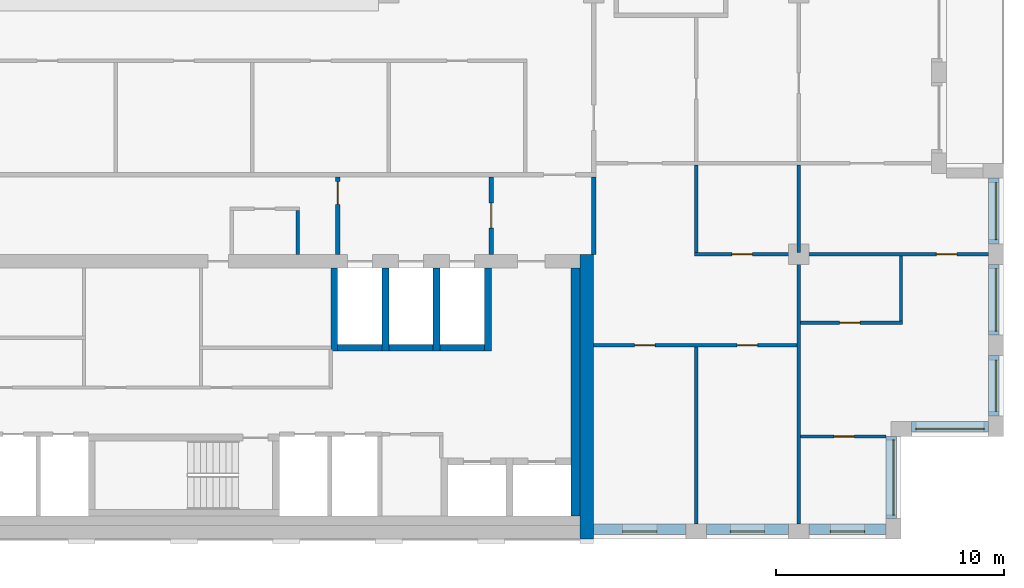
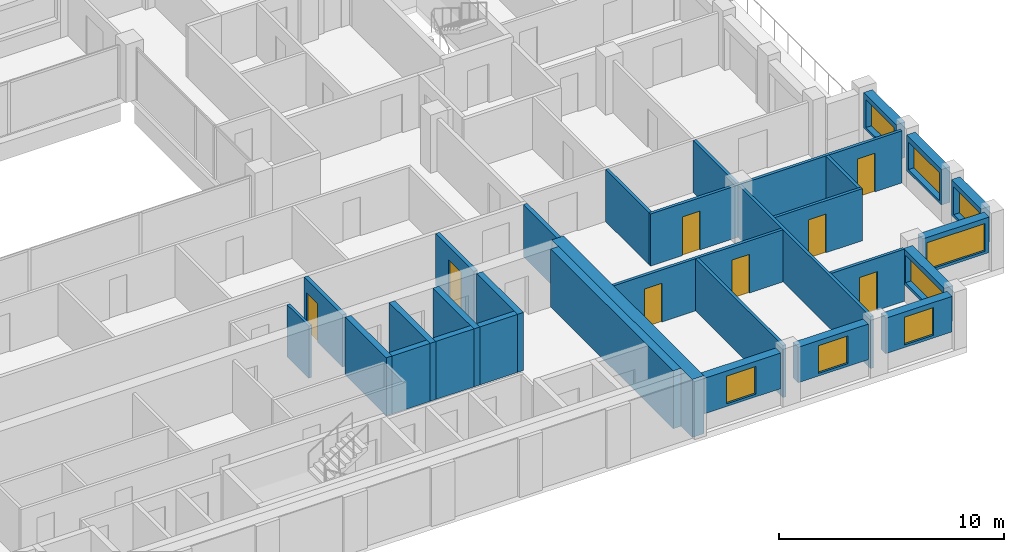
# One storey, part 11 of 16: 30 walls, 8 doors, 8 windows, 16 openings.
"""IFC4 building model written with IfcOpenShell, lengths in metres."""

from ifc_helpers import new_model, si_unit, direction, frame, frame_2d, origin, place, context, subcontext, project, spatial, rectangle, extrude, material, layer, layer_set, type_object, element, fill, save


model = new_model("IFC4")

# Units and contexts
model_context = context("Model", 3, precision=1e-05, world=origin(), true_north=direction((0.0, 1.0)))
body_context = subcontext(model_context, "Body", "Model", "MODEL_VIEW")
ifc_project = project(units=[si_unit("LENGTHUNIT", "METRE"), si_unit("AREAUNIT", "SQUARE_METRE"), si_unit("VOLUMEUNIT", "CUBIC_METRE"), si_unit("PLANEANGLEUNIT", "RADIAN"), si_unit("MASSUNIT", "GRAM", prefix="KILO")], contexts=[model_context])

# Site, building, storey
site_placement = place(None, origin())
site = spatial("IfcSite", under=ifc_project, at=site_placement, CompositionType="ELEMENT")
building_placement = place(site_placement, origin())
building = spatial("IfcBuilding", under=site, at=building_placement, Name="Brigalow Station Residences", CompositionType="ELEMENT")
storey_placement = place(building_placement, frame((0.0, 0.0, 204.300048828125)))
storey = spatial("IfcBuildingStorey", under=building, at=storey_placement, Name="L58", CompositionType="ELEMENT", Elevation=204.300048828125)

# Wall, opening, window
ifc_material_1 = material(Name="Clay brick masonry", Category="masonry")
ifc_layer_1 = layer(ifc_material_1, 0.449951171875)
ifc_layer_set_1 = layer_set([ifc_layer_1], Name="BRICK INFILL WALL 450")
wall_type_1 = type_object("IfcWallType", Name="BRICK INFILL WALL 450", PredefinedType="SOLIDWALL", material=ifc_layer_set_1)
wall_1_placement = place(storey_placement, frame((54.0, 0.425048828125, 0.89990234375), z_axis=(0.0, 0.0, 1.0), x_axis=(1.0, 0.0, 0.0)))
wall_1 = element("IfcWall", 1, at=wall_1_placement, inside=storey, type_object=wall_type_1, Name="L58/ewall/W-L58-3", PredefinedType="SOLIDWALL", context=body_context, shape_type="SweptSolid", body=[
    extrude(rectangle(XDim=4.050048828125, YDim=0.449951171875, at=frame_2d((2.02490234375, 0.0))), origin(), (0.0, 0.0, 1.0), 1.929931640625),
])
opening_1_placement = place(wall_1_placement, frame((1.27490234375, 0.0, 0.14990234375)))
opening_1 = element("IfcOpeningElement", 2, at=opening_1_placement, cuts=wall_1, Name="Opening WT-1", PredefinedType="OPENING", context=body_context, shape_type="SweptSolid", body=[
    extrude(rectangle(XDim=1.5, YDim=1.5, at=frame_2d((0.75, 0.75))), frame((0.0, 0.23486328125, 0.0), z_axis=(0.0, -1.0, 0.0), x_axis=(1.0, 0.0, 0.0)), (0.0, 0.0, 1.0), 0.469970703125),
])
ifc_material_2 = material(Name="Anodised aluminium frame with double glazing", Category="aluminium")
window_type_1 = type_object("IfcWindowType", Name="WINDOW 1500x1500", PartitioningType="SINGLE_PANEL", PredefinedType="WINDOW", material=ifc_material_2)
window_1_placement = place(opening_1_placement, origin())
window_1 = element("IfcWindow", 3, at=window_1_placement, inside=storey, type_object=window_type_1, Name="L58/window/W-L58-3", OverallHeight=1.5, OverallWidth=1.5, PartitioningType="SINGLE_PANEL", PredefinedType="WINDOW", context=body_context, shape_type="SweptSolid", body=[
    extrude(rectangle(XDim=1.5, YDim=1.5, at=frame_2d((0.75, 0.75))), frame((0.0, -0.06494140625, 0.0), z_axis=(0.0, -1.0, 0.0), x_axis=(1.0, 0.0, 0.0)), (0.0, 0.0, 1.0), 0.06005859375),
])
fill(opening_1, window_1)

wall_2_placement = place(storey_placement, frame((58.949951171875, 0.425048828125, 0.89990234375), z_axis=(0.0, 0.0, 1.0), x_axis=(1.0, 0.0, 0.0)))
wall_2 = element("IfcWall", 4, at=wall_2_placement, inside=storey, type_object=wall_type_1, Name="L58/ewall/W-L58-4", PredefinedType="SOLIDWALL", context=body_context, shape_type="SweptSolid", body=[
    extrude(rectangle(XDim=3.60009765625, YDim=0.449951171875, at=frame_2d((1.800048828125, 0.0))), origin(), (0.0, 0.0, 1.0), 1.929931640625),
])
opening_2_placement = place(wall_2_placement, frame((1.050048828125, 0.0, 0.14990234375)))
opening_2 = element("IfcOpeningElement", 5, at=opening_2_placement, cuts=wall_2, Name="Opening WT-1", PredefinedType="OPENING", context=body_context, shape_type="SweptSolid", body=[
    extrude(rectangle(XDim=1.5, YDim=1.5, at=frame_2d((0.75, 0.75))), frame((0.0, 0.23486328125, 0.0), z_axis=(0.0, -1.0, 0.0), x_axis=(1.0, 0.0, 0.0)), (0.0, 0.0, 1.0), 0.469970703125),
])
window_2_placement = place(opening_2_placement, origin())
window_2 = element("IfcWindow", 6, at=window_2_placement, inside=storey, type_object=window_type_1, Name="L58/window/W-L58-4", OverallHeight=1.5, OverallWidth=1.5, PartitioningType="SINGLE_PANEL", PredefinedType="WINDOW", context=body_context, shape_type="SweptSolid", body=[
    extrude(rectangle(XDim=1.5, YDim=1.5, at=frame_2d((0.75, 0.75))), frame((0.0, -0.06494140625, 0.0), z_axis=(0.0, -1.0, 0.0), x_axis=(1.0, 0.0, 0.0)), (0.0, 0.0, 1.0), 0.06005859375),
])
fill(opening_2, window_2)

wall_3_placement = place(storey_placement, frame((63.449951171875, 0.425048828125, 0.89990234375), z_axis=(0.0, 0.0, 1.0), x_axis=(1.0, 0.0, 0.0)))
wall_3 = element("IfcWall", 7, at=wall_3_placement, inside=storey, type_object=wall_type_1, Name="L58/ewall/W-L58-5", PredefinedType="SOLIDWALL", context=body_context, shape_type="SweptSolid", body=[
    extrude(rectangle(XDim=3.400146484375, YDim=0.449951171875, at=frame_2d((1.7001953125, 0.0))), origin(), (0.0, 0.0, 1.0), 1.929931640625),
])
opening_3_placement = place(wall_3_placement, frame((0.949951171875, 0.0, 0.14990234375)))
opening_3 = element("IfcOpeningElement", 8, at=opening_3_placement, cuts=wall_3, Name="Opening WT-1", PredefinedType="OPENING", context=body_context, shape_type="SweptSolid", body=[
    extrude(rectangle(XDim=1.5, YDim=1.5, at=frame_2d((0.75, 0.75))), frame((0.0, 0.23486328125, 0.0), z_axis=(0.0, -1.0, 0.0), x_axis=(1.0, 0.0, 0.0)), (0.0, 0.0, 1.0), 0.469970703125),
])
window_3_placement = place(opening_3_placement, origin())
window_3 = element("IfcWindow", 9, at=window_3_placement, inside=storey, type_object=window_type_1, Name="L58/window/W-L58-5", OverallHeight=1.5, OverallWidth=1.5, PartitioningType="SINGLE_PANEL", PredefinedType="WINDOW", context=body_context, shape_type="SweptSolid", body=[
    extrude(rectangle(XDim=1.5, YDim=1.5, at=frame_2d((0.75, 0.75))), frame((0.0, -0.06494140625, 0.0), z_axis=(0.0, -1.0, 0.0), x_axis=(1.0, 0.0, 0.0)), (0.0, 0.0, 1.0), 0.06005859375),
])
fill(opening_3, window_3)

wall_4_placement = place(storey_placement, frame((67.074951171875, 0.89990234375, 0.89990234375), z_axis=(0.0, 0.0, 1.0), x_axis=(0.0, 1.0, 0.0)))
wall_4 = element("IfcWall", 10, at=wall_4_placement, inside=storey, type_object=wall_type_1, Name="L58/ewall/W-L58-6", PredefinedType="SOLIDWALL", context=body_context, shape_type="SweptSolid", body=[
    extrude(rectangle(XDim=3.60009765625, YDim=0.449951171875, at=frame_2d((1.800048828125, 0.0))), origin(), (0.0, 0.0, 1.0), 1.929931640625),
])
opening_4_placement = place(wall_4_placement, frame((0.14990234375, 0.0, 0.14990234375)))
opening_4 = element("IfcOpeningElement", 11, at=opening_4_placement, cuts=wall_4, Name="Opening WT-10", PredefinedType="OPENING", context=body_context, shape_type="SweptSolid", body=[
    extrude(rectangle(XDim=3.300048828125, YDim=1.5, at=frame_2d((1.64990234375, 0.75))), frame((0.0, 0.23486328125, 0.0), z_axis=(0.0, -1.0, 0.0), x_axis=(1.0, 0.0, 0.0)), (0.0, 0.0, 1.0), 0.469970703125),
])
ifc_material_3 = material(Name="Anodised aluminium frame with double glazing", Category="aluminium")
window_type_2 = type_object("IfcWindowType", Name="WINDOW 3300x1500", PartitioningType="SINGLE_PANEL", PredefinedType="WINDOW", material=ifc_material_3)
window_4_placement = place(opening_4_placement, origin())
window_4 = element("IfcWindow", 12, at=window_4_placement, inside=storey, type_object=window_type_2, Name="L58/window/W-L58-6", OverallHeight=1.5, OverallWidth=3.300048828125, PartitioningType="SINGLE_PANEL", PredefinedType="WINDOW", context=body_context, shape_type="SweptSolid", body=[
    extrude(rectangle(XDim=3.300048828125, YDim=1.5, at=frame_2d((1.64990234375, 0.75))), frame((0.0, -0.06494140625, 0.0), z_axis=(0.0, -1.0, 0.0), x_axis=(1.0, 0.0, 0.0)), (0.0, 0.0, 1.0), 0.06005859375),
])
fill(opening_4, window_4)

wall_5_placement = place(storey_placement, frame((67.949951171875, 4.925048828125, 0.89990234375), z_axis=(0.0, 0.0, 1.0), x_axis=(1.0, 0.0, 0.0)))
wall_5 = element("IfcWall", 13, at=wall_5_placement, inside=storey, type_object=wall_type_1, Name="L58/ewall/W-L58-7", PredefinedType="SOLIDWALL", context=body_context, shape_type="SweptSolid", body=[
    extrude(rectangle(XDim=3.400146484375, YDim=0.449951171875, at=frame_2d((1.7001953125, 0.0))), origin(), (0.0, 0.0, 1.0), 1.929931640625),
])
opening_5_placement = place(wall_5_placement, frame((0.199951171875, 0.0, 0.14990234375)))
opening_5 = element("IfcOpeningElement", 14, at=opening_5_placement, cuts=wall_5, Name="Opening WT-2", PredefinedType="OPENING", context=body_context, shape_type="SweptSolid", body=[
    extrude(rectangle(XDim=3.0, YDim=1.5, at=frame_2d((1.5, 0.75))), frame((0.0, 0.23486328125, 0.0), z_axis=(0.0, -1.0, 0.0), x_axis=(1.0, 0.0, 0.0)), (0.0, 0.0, 1.0), 0.469970703125),
])
ifc_material_4 = material(Name="Anodised aluminium frame with double glazing", Category="aluminium")
window_type_3 = type_object("IfcWindowType", Name="WINDOW 3000x1500", PartitioningType="SINGLE_PANEL", PredefinedType="WINDOW", material=ifc_material_4)
window_5_placement = place(opening_5_placement, origin())
window_5 = element("IfcWindow", 15, at=window_5_placement, inside=storey, type_object=window_type_3, Name="L58/window/W-L58-7", OverallHeight=1.5, OverallWidth=3.0, PartitioningType="SINGLE_PANEL", PredefinedType="WINDOW", context=body_context, shape_type="SweptSolid", body=[
    extrude(rectangle(XDim=3.0, YDim=1.5, at=frame_2d((1.5, 0.75))), frame((0.0, -0.06494140625, 0.0), z_axis=(0.0, -1.0, 0.0), x_axis=(1.0, 0.0, 0.0)), (0.0, 0.0, 1.0), 0.06005859375),
])
fill(opening_5, window_5)

wall_6_placement = place(storey_placement, frame((71.574951171875, 5.39990234375, 0.89990234375), z_axis=(0.0, 0.0, 1.0), x_axis=(0.0, 1.0, 0.0)))
wall_6 = element("IfcWall", 16, at=wall_6_placement, inside=storey, type_object=wall_type_1, Name="L58/ewall/W-L58-8", PredefinedType="SOLIDWALL", context=body_context, shape_type="SweptSolid", body=[
    extrude(rectangle(XDim=2.650146484375, YDim=0.449951171875, at=frame_2d((1.3251953125, 0.0))), origin(), (0.0, 0.0, 1.0), 1.929931640625),
])
opening_6_placement = place(wall_6_placement, frame((0.199951171875, 0.0, 0.14990234375)))
opening_6 = element("IfcOpeningElement", 17, at=opening_6_placement, cuts=wall_6, Name="Opening WT-6", PredefinedType="OPENING", context=body_context, shape_type="SweptSolid", body=[
    extrude(rectangle(XDim=2.25, YDim=1.5, at=frame_2d((1.125, 0.75))), frame((0.0, 0.23486328125, 0.0), z_axis=(0.0, -1.0, 0.0), x_axis=(1.0, 0.0, 0.0)), (0.0, 0.0, 1.0), 0.469970703125),
])
ifc_material_5 = material(Name="Anodised aluminium frame with double glazing", Category="aluminium")
window_type_4 = type_object("IfcWindowType", Name="WINDOW 2250x1500", PartitioningType="SINGLE_PANEL", PredefinedType="WINDOW", material=ifc_material_5)
window_6_placement = place(opening_6_placement, origin())
window_6 = element("IfcWindow", 18, at=window_6_placement, inside=storey, type_object=window_type_4, Name="L58/window/W-L58-8", OverallHeight=1.5, OverallWidth=2.25, PartitioningType="SINGLE_PANEL", PredefinedType="WINDOW", context=body_context, shape_type="SweptSolid", body=[
    extrude(rectangle(XDim=2.25, YDim=1.5, at=frame_2d((1.125, 0.75))), frame((0.0, -0.06494140625, 0.0), z_axis=(0.0, -1.0, 0.0), x_axis=(1.0, 0.0, 0.0)), (0.0, 0.0, 1.0), 0.06005859375),
])
fill(opening_6, window_6)

wall_7_placement = place(storey_placement, frame((71.574951171875, 8.949951171875, 0.89990234375), z_axis=(0.0, 0.0, 1.0), x_axis=(0.0, 1.0, 0.0)))
wall_7 = element("IfcWall", 19, at=wall_7_placement, inside=storey, type_object=wall_type_1, Name="L58/ewall/W-L58-9", PredefinedType="SOLIDWALL", context=body_context, shape_type="SweptSolid", body=[
    extrude(rectangle(XDim=3.10009765625, YDim=0.449951171875, at=frame_2d((1.550048828125, 0.0))), origin(), (0.0, 0.0, 1.0), 1.929931640625),
])
opening_7_placement = place(wall_7_placement, frame((0.175048828125, 0.0, 0.14990234375)))
opening_7 = element("IfcOpeningElement", 20, at=opening_7_placement, cuts=wall_7, Name="Opening WT-3", PredefinedType="OPENING", context=body_context, shape_type="SweptSolid", body=[
    extrude(rectangle(XDim=2.75, YDim=1.5, at=frame_2d((1.375, 0.75))), frame((0.0, 0.23486328125, 0.0), z_axis=(0.0, -1.0, 0.0), x_axis=(1.0, 0.0, 0.0)), (0.0, 0.0, 1.0), 0.469970703125),
])
ifc_material_6 = material(Name="Anodised aluminium frame with double glazing", Category="aluminium")
window_type_5 = type_object("IfcWindowType", Name="WINDOW 2750x1500", PartitioningType="SINGLE_PANEL", PredefinedType="WINDOW", material=ifc_material_6)
window_7_placement = place(opening_7_placement, origin())
window_7 = element("IfcWindow", 21, at=window_7_placement, inside=storey, type_object=window_type_5, Name="L58/window/W-L58-9", OverallHeight=1.5, OverallWidth=2.75, PartitioningType="SINGLE_PANEL", PredefinedType="WINDOW", context=body_context, shape_type="SweptSolid", body=[
    extrude(rectangle(XDim=2.75, YDim=1.5, at=frame_2d((1.375, 0.75))), frame((0.0, -0.06494140625, 0.0), z_axis=(0.0, -1.0, 0.0), x_axis=(1.0, 0.0, 0.0)), (0.0, 0.0, 1.0), 0.06005859375),
])
fill(opening_7, window_7)

wall_8_placement = place(storey_placement, frame((71.574951171875, 12.949951171875, 0.89990234375), z_axis=(0.0, 0.0, 1.0), x_axis=(0.0, 1.0, 0.0)))
wall_8 = element("IfcWall", 22, at=wall_8_placement, inside=storey, type_object=wall_type_1, Name="L58/ewall/W-L58-10", PredefinedType="SOLIDWALL", context=body_context, shape_type="SweptSolid", body=[
    extrude(rectangle(XDim=2.900146484375, YDim=0.449951171875, at=frame_2d((1.4501953125, 0.0))), origin(), (0.0, 0.0, 1.0), 1.929931640625),
])
opening_8_placement = place(wall_8_placement, frame((0.199951171875, 0.0, 0.14990234375)))
opening_8 = element("IfcOpeningElement", 23, at=opening_8_placement, cuts=wall_8, Name="Opening WT-5", PredefinedType="OPENING", context=body_context, shape_type="SweptSolid", body=[
    extrude(rectangle(XDim=2.5, YDim=1.5, at=frame_2d((1.25, 0.75))), frame((0.0, 0.23486328125, 0.0), z_axis=(0.0, -1.0, 0.0), x_axis=(1.0, 0.0, 0.0)), (0.0, 0.0, 1.0), 0.469970703125),
])
ifc_material_7 = material(Name="Anodised aluminium frame with double glazing", Category="aluminium")
window_type_6 = type_object("IfcWindowType", Name="WINDOW 2500x1500", PartitioningType="SINGLE_PANEL", PredefinedType="WINDOW", material=ifc_material_7)
window_8_placement = place(opening_8_placement, origin())
window_8 = element("IfcWindow", 24, at=window_8_placement, inside=storey, type_object=window_type_6, Name="L58/window/W-L58-10", OverallHeight=1.5, OverallWidth=2.5, PartitioningType="SINGLE_PANEL", PredefinedType="WINDOW", context=body_context, shape_type="SweptSolid", body=[
    extrude(rectangle(XDim=2.5, YDim=1.5, at=frame_2d((1.25, 0.75))), frame((0.0, -0.06494140625, 0.0), z_axis=(0.0, -1.0, 0.0), x_axis=(1.0, 0.0, 0.0)), (0.0, 0.0, 1.0), 0.06005859375),
])
fill(opening_8, window_8)

# Walls
ifc_material_8 = material(Name="Concrete C50", Category="concrete")
ifc_layer_2 = layer(ifc_material_8, 0.300048828125)
ifc_layer_set_2 = layer_set([ifc_layer_2], Name="CORE SHEAR WALL 300 C50")
wall_type_2 = type_object("IfcWallType", Name="CORE SHEAR WALL 300 C50", PredefinedType="SHEAR", material=ifc_layer_set_2)
wall_9_placement = place(storey_placement, frame((42.75, 8.39990234375, 0.0), z_axis=(0.0, 0.0, 1.0), x_axis=(1.0, 0.0, 0.0)))
element("IfcWall", 25, at=wall_9_placement, inside=storey, type_object=wall_type_2, Name="CORE WALL SH-FF1-S L58", PredefinedType="SHEAR", context=body_context, shape_type="SweptSolid", body=[
    extrude(rectangle(XDim=1.949951171875, YDim=0.300048828125, at=frame_2d((0.97509765625, 0.0))), origin(), (0.0, 0.0, 1.0), 3.14990234375),
])
wall_10_placement = place(storey_placement, frame((42.60009765625, 8.25, 0.0), z_axis=(0.0, 0.0, 1.0), x_axis=(0.0, 1.0, 0.0)))
element("IfcWall", 26, at=wall_10_placement, inside=storey, type_object=wall_type_2, Name="CORE WALL SH-FF1-W L58", PredefinedType="SHEAR", context=body_context, shape_type="SweptSolid", body=[
    extrude(rectangle(XDim=3.64990234375, YDim=0.300048828125, at=frame_2d((1.824951171875, 0.0))), origin(), (0.0, 0.0, 1.0), 3.14990234375),
])
wall_11_placement = place(storey_placement, frame((45.0, 8.39990234375, 0.0), z_axis=(0.0, 0.0, 1.0), x_axis=(1.0, 0.0, 0.0)))
element("IfcWall", 27, at=wall_11_placement, inside=storey, type_object=wall_type_2, Name="CORE WALL SH-FF2-S L58", PredefinedType="SHEAR", context=body_context, shape_type="SweptSolid", body=[
    extrude(rectangle(XDim=1.949951171875, YDim=0.300048828125, at=frame_2d((0.97509765625, 0.0))), origin(), (0.0, 0.0, 1.0), 3.14990234375),
])
wall_12_placement = place(storey_placement, frame((44.85009765625, 8.25, 0.0), z_axis=(0.0, 0.0, 1.0), x_axis=(0.0, 1.0, 0.0)))
element("IfcWall", 28, at=wall_12_placement, inside=storey, type_object=wall_type_2, Name="CORE WALL SH-FF2-W L58", PredefinedType="SHEAR", context=body_context, shape_type="SweptSolid", body=[
    extrude(rectangle(XDim=3.64990234375, YDim=0.300048828125, at=frame_2d((1.824951171875, 0.0))), origin(), (0.0, 0.0, 1.0), 3.14990234375),
])
wall_13_placement = place(storey_placement, frame((47.25, 8.39990234375, 0.0), z_axis=(0.0, 0.0, 1.0), x_axis=(1.0, 0.0, 0.0)))
element("IfcWall", 29, at=wall_13_placement, inside=storey, type_object=wall_type_2, Name="CORE WALL SH-SL1-S L58", PredefinedType="SHEAR", context=body_context, shape_type="SweptSolid", body=[
    extrude(rectangle(XDim=1.949951171875, YDim=0.300048828125, at=frame_2d((0.97509765625, 0.0))), origin(), (0.0, 0.0, 1.0), 3.14990234375),
])
for number, where, z_axis, x_axis, name in (
    (30, (47.10009765625, 8.25, 0.0), (0.0, 0.0, 1.0), (0.0, 1.0, 0.0), "CORE WALL SH-SL1-W L58"),
    (31, (49.35009765625, 8.25, 0.0), (0.0, 0.0, 1.0), (0.0, 1.0, 0.0), "CORE WALL SH-SL1-E L58"),
):
    element("IfcWall", number, at=place(storey_placement, frame(where, z_axis=z_axis, x_axis=x_axis)), inside=storey, type_object=wall_type_2, Name=name, PredefinedType="SHEAR", context=body_context, shape_type="SweptSolid", body=[
        extrude(rectangle(XDim=3.64990234375, YDim=0.300048828125, at=frame_2d((1.824951171875, 0.0))), origin(), (0.0, 0.0, 1.0), 3.14990234375),
    ])
ifc_material_9 = material(Name="Concrete C50", Category="concrete")
ifc_layer_3 = layer(ifc_material_9, 0.39990234375)
ifc_layer_set_3 = layer_set([ifc_layer_3], Name="CORE SHEAR WALL 400 C50")
wall_type_3 = type_object("IfcWallType", Name="CORE SHEAR WALL 400 C50", PredefinedType="SHEAR", material=ifc_layer_set_3)
wall_14_placement = place(storey_placement, frame((53.199951171875, 1.0, 0.0), z_axis=(0.0, 0.0, 1.0), x_axis=(0.0, 1.0, 0.0)))
element("IfcWall", 32, at=wall_14_placement, inside=storey, type_object=wall_type_3, Name="CORE WALL LIN-E L58", PredefinedType="SHEAR", context=body_context, shape_type="SweptSolid", body=[
    extrude(rectangle(XDim=10.89990234375, YDim=0.39990234375, at=frame_2d((5.449951171875, 0.0))), origin(), (0.0, 0.0, 1.0), 3.14990234375),
])
ifc_material_10 = material(Name="Concrete C50", Category="concrete")
ifc_layer_4 = layer(ifc_material_10, 0.60009765625)
ifc_layer_set_4 = layer_set([ifc_layer_4], Name="CORE SHEAR WALL 600 C50")
wall_type_4 = type_object("IfcWallType", Name="CORE SHEAR WALL 600 C50", PredefinedType="SHEAR", material=ifc_layer_set_4)
wall_15_placement = place(storey_placement, frame((53.699951171875, 0.0, 0.0), z_axis=(0.0, 0.0, 1.0), x_axis=(0.0, 1.0, 0.0)))
element("IfcWall", 33, at=wall_15_placement, inside=storey, type_object=wall_type_4, Name="CORE WALL OUT-E L58", PredefinedType="SHEAR", context=body_context, shape_type="SweptSolid", body=[
    extrude(rectangle(XDim=12.5, YDim=0.60009765625, at=frame_2d((6.25, 0.0))), origin(), (0.0, 0.0, 1.0), 3.14990234375),
])

# Wall, opening, door
ifc_material_11 = material(Name="Concrete blockwork", Category="masonry")
ifc_layer_5 = layer(ifc_material_11, 0.199951171875)
ifc_layer_set_5 = layer_set([ifc_layer_5], Name="FIRE RATED CORE PARTITION 200")
wall_type_5 = type_object("IfcWallType", Name="FIRE RATED CORE PARTITION 200", PredefinedType="PARTITIONING", material=ifc_layer_set_5)
wall_16_placement = place(storey_placement, frame((42.75, 12.5, 0.0), z_axis=(0.0, 0.0, 1.0), x_axis=(0.0, 1.0, 0.0)))
wall_16 = element("IfcWall", 34, at=wall_16_placement, inside=storey, type_object=wall_type_5, Name="PW-5014", PredefinedType="PARTITIONING", context=body_context, shape_type="SweptSolid", body=[
    extrude(rectangle(XDim=3.39990234375, YDim=0.199951171875, at=frame_2d((1.699951171875, 0.0))), origin(), (0.0, 0.0, 1.0), 2.829833984375),
])
opening_9_placement = place(wall_16_placement, frame((2.199951171875, 0.0, 0.0)))
opening_9 = element("IfcOpeningElement", 35, at=opening_9_placement, cuts=wall_16, Name="Opening D-5013", PredefinedType="OPENING", context=body_context, shape_type="SweptSolid", body=[
    extrude(rectangle(XDim=1.0, YDim=2.10009765625, at=frame_2d((0.5, 1.050048828125))), frame((0.0, 0.10986328125, 0.0), z_axis=(0.0, -1.0, 0.0), x_axis=(1.0, 0.0, 0.0)), (0.0, 0.0, 1.0), 0.219970703125),
])
ifc_material_12 = material(Name="Steel fire door leaf in steel frame", Category="steel")
door_type_1 = type_object("IfcDoorType", Name="LOBBY DOOR 1000 x 2100 FD60S", OperationType="SINGLE_SWING_LEFT", PredefinedType="DOOR", material=ifc_material_12)
door_1_placement = place(opening_9_placement, origin())
door_1 = element("IfcDoor", 36, at=door_1_placement, inside=storey, type_object=door_type_1, Name="D-5013", OperationType="SINGLE_SWING_RIGHT", OverallHeight=2.10009765625, OverallWidth=1.0, PredefinedType="DOOR", context=body_context, shape_type="SweptSolid", body=[
    extrude(rectangle(XDim=1.0, YDim=2.10009765625, at=frame_2d((0.5, 1.050048828125))), frame((0.0, 0.02490234375, 0.0), z_axis=(0.0, -1.0, 0.0), x_axis=(1.0, 0.0, 0.0)), (0.0, 0.0, 1.0), 0.050048828125),
])
fill(opening_9, door_1)

wall_17_placement = place(storey_placement, frame((49.5, 12.5, 0.0), z_axis=(0.0, 0.0, 1.0), x_axis=(0.0, 1.0, 0.0)))
wall_17 = element("IfcWall", 37, at=wall_17_placement, inside=storey, type_object=wall_type_5, Name="PW-5015", PredefinedType="PARTITIONING", context=body_context, shape_type="SweptSolid", body=[
    extrude(rectangle(XDim=3.39990234375, YDim=0.199951171875, at=frame_2d((1.699951171875, 0.0))), origin(), (0.0, 0.0, 1.0), 2.829833984375),
])
opening_10_placement = place(wall_17_placement, frame((1.14990234375, 0.0, 0.0)))
opening_10 = element("IfcOpeningElement", 38, at=opening_10_placement, cuts=wall_17, Name="Opening D-5014", PredefinedType="OPENING", context=body_context, shape_type="SweptSolid", body=[
    extrude(rectangle(XDim=1.10009765625, YDim=2.10009765625, at=frame_2d((0.550048828125, 1.050048828125))), frame((0.0, 0.10986328125, 0.0), z_axis=(0.0, -1.0, 0.0), x_axis=(1.0, 0.0, 0.0)), (0.0, 0.0, 1.0), 0.219970703125),
])
ifc_material_13 = material(Name="Steel fire door leaf in steel frame", Category="steel")
door_type_2 = type_object("IfcDoorType", Name="LOBBY DOOR 1100 x 2100 FD60S", OperationType="SINGLE_SWING_LEFT", PredefinedType="DOOR", material=ifc_material_13)
door_2_placement = place(opening_10_placement, origin())
door_2 = element("IfcDoor", 39, at=door_2_placement, inside=storey, type_object=door_type_2, Name="D-5014", OperationType="SINGLE_SWING_LEFT", OverallHeight=2.10009765625, OverallWidth=1.10009765625, PredefinedType="DOOR", context=body_context, shape_type="SweptSolid", body=[
    extrude(rectangle(XDim=1.10009765625, YDim=2.10009765625, at=frame_2d((0.550048828125, 1.050048828125))), frame((0.0, 0.02490234375, 0.0), z_axis=(0.0, -1.0, 0.0), x_axis=(1.0, 0.0, 0.0)), (0.0, 0.0, 1.0), 0.050048828125),
])
fill(opening_10, door_2)

# Wall
wall_18_placement = place(storey_placement, frame((54.0, 12.5, 0.0), z_axis=(0.0, 0.0, 1.0), x_axis=(0.0, 1.0, 0.0)))
element("IfcWall", 40, at=wall_18_placement, inside=storey, type_object=wall_type_5, Name="PW-5016", PredefinedType="PARTITIONING", context=body_context, shape_type="SweptSolid", body=[
    extrude(rectangle(XDim=3.39990234375, YDim=0.199951171875, at=frame_2d((1.699951171875, 0.0))), origin(), (0.0, 0.0, 1.0), 2.829833984375),
])

# Wall, openings, doors
ifc_material_14 = material(Name="Plasterboard on steel stud partition", Category="steel")
ifc_layer_6 = layer(ifc_material_14, 0.14990234375)
ifc_layer_set_6 = layer_set([ifc_layer_6], Name="FLAT PARTITION 150")
wall_type_6 = type_object("IfcWallType", Name="FLAT PARTITION 150", PredefinedType="PARTITIONING", material=ifc_layer_set_6)
wall_19_placement = place(storey_placement, frame((58.425048828125, 12.5, 0.0), z_axis=(0.0, 0.0, 1.0), x_axis=(1.0, 0.0, 0.0)))
wall_19 = element("IfcWall", 41, at=wall_19_placement, inside=storey, type_object=wall_type_6, Name="PW-4A13", PredefinedType="PARTITIONING", context=body_context, shape_type="SweptSolid", body=[
    extrude(rectangle(XDim=12.925048828125, YDim=0.14990234375, at=frame_2d((6.46240234375, 0.0))), origin(), (0.0, 0.0, 1.0), 2.829833984375),
])
opening_11_placement = place(wall_19_placement, frame((1.64990234375, 0.0, 0.0)))
opening_11 = element("IfcOpeningElement", 42, at=opening_11_placement, cuts=wall_19, Name="Opening D-4A36", PredefinedType="OPENING", context=body_context, shape_type="SweptSolid", body=[
    extrude(rectangle(XDim=0.89990234375, YDim=2.10009765625, at=frame_2d((0.449951171875, 1.050048828125))), frame((0.0, 0.0849609375, 0.0), z_axis=(0.0, -1.0, 0.0), x_axis=(1.0, 0.0, 0.0)), (0.0, 0.0, 1.0), 0.169921875),
])
opening_12_placement = place(wall_19_placement, frame((10.625, 0.0, 0.0)))
opening_12 = element("IfcOpeningElement", 43, at=opening_12_placement, cuts=wall_19, Name="Opening D-4A37", PredefinedType="OPENING", context=body_context, shape_type="SweptSolid", body=[
    extrude(rectangle(XDim=0.89990234375, YDim=2.10009765625, at=frame_2d((0.449951171875, 1.050048828125))), frame((0.0, 0.0849609375, 0.0), z_axis=(0.0, -1.0, 0.0), x_axis=(1.0, 0.0, 0.0)), (0.0, 0.0, 1.0), 0.169921875),
])
ifc_material_15 = material(Name="Solid-core timber door leaf", Category="wood")
door_type_3 = type_object("IfcDoorType", Name="INTERNAL DOOR 900 x 2100", OperationType="SINGLE_SWING_LEFT", PredefinedType="DOOR", material=ifc_material_15)
door_3_placement = place(opening_11_placement, origin())
door_3 = element("IfcDoor", 44, at=door_3_placement, inside=storey, type_object=door_type_3, Name="D-4A36", OperationType="SINGLE_SWING_LEFT", OverallHeight=2.10009765625, OverallWidth=0.89990234375, PredefinedType="DOOR", context=body_context, shape_type="SweptSolid", body=[
    extrude(rectangle(XDim=0.89990234375, YDim=2.10009765625, at=frame_2d((0.449951171875, 1.050048828125))), frame((0.0, 0.02490234375, 0.0), z_axis=(0.0, -1.0, 0.0), x_axis=(1.0, 0.0, 0.0)), (0.0, 0.0, 1.0), 0.050048828125),
])
fill(opening_11, door_3)
door_4_placement = place(opening_12_placement, origin())
door_4 = element("IfcDoor", 45, at=door_4_placement, inside=storey, type_object=door_type_3, Name="D-4A37", OperationType="SINGLE_SWING_RIGHT", OverallHeight=2.10009765625, OverallWidth=0.89990234375, PredefinedType="DOOR", context=body_context, shape_type="SweptSolid", body=[
    extrude(rectangle(XDim=0.89990234375, YDim=2.10009765625, at=frame_2d((0.449951171875, 1.050048828125))), frame((0.0, 0.02490234375, 0.0), z_axis=(0.0, -1.0, 0.0), x_axis=(1.0, 0.0, 0.0)), (0.0, 0.0, 1.0), 0.050048828125),
])
fill(opening_12, door_4)

wall_20_placement = place(storey_placement, frame((54.0, 8.5, 0.0), z_axis=(0.0, 0.0, 1.0), x_axis=(1.0, 0.0, 0.0)))
wall_20 = element("IfcWall", 46, at=wall_20_placement, inside=storey, type_object=wall_type_6, Name="PW-4A15", PredefinedType="PARTITIONING", context=body_context, shape_type="SweptSolid", body=[
    extrude(rectangle(XDim=8.925048828125, YDim=0.14990234375, at=frame_2d((4.46240234375, 0.0))), origin(), (0.0, 0.0, 1.0), 2.829833984375),
])
opening_13_placement = place(wall_20_placement, frame((1.800048828125, 0.0, 0.0)))
opening_13 = element("IfcOpeningElement", 47, at=opening_13_placement, cuts=wall_20, Name="Opening D-4A34", PredefinedType="OPENING", context=body_context, shape_type="SweptSolid", body=[
    extrude(rectangle(XDim=0.89990234375, YDim=2.10009765625, at=frame_2d((0.449951171875, 1.050048828125))), frame((0.0, 0.0849609375, 0.0), z_axis=(0.0, -1.0, 0.0), x_axis=(1.0, 0.0, 0.0)), (0.0, 0.0, 1.0), 0.169921875),
])
opening_14_placement = place(wall_20_placement, frame((6.300048828125, 0.0, 0.0)))
opening_14 = element("IfcOpeningElement", 48, at=opening_14_placement, cuts=wall_20, Name="Opening D-4A35", PredefinedType="OPENING", context=body_context, shape_type="SweptSolid", body=[
    extrude(rectangle(XDim=0.89990234375, YDim=2.10009765625, at=frame_2d((0.449951171875, 1.050048828125))), frame((0.0, 0.0849609375, 0.0), z_axis=(0.0, -1.0, 0.0), x_axis=(1.0, 0.0, 0.0)), (0.0, 0.0, 1.0), 0.169921875),
])
door_5_placement = place(opening_13_placement, frame((0.89990234375, 0.0, 0.0), z_axis=(0.0, 0.0, 1.0), x_axis=(-1.0, 0.0, 0.0)))
door_5 = element("IfcDoor", 49, at=door_5_placement, inside=storey, type_object=door_type_3, Name="D-4A34", OperationType="SINGLE_SWING_LEFT", OverallHeight=2.10009765625, OverallWidth=0.89990234375, PredefinedType="DOOR", context=body_context, shape_type="SweptSolid", body=[
    extrude(rectangle(XDim=0.89990234375, YDim=2.10009765625, at=frame_2d((0.449951171875, 1.050048828125))), frame((0.0, 0.02490234375, 0.0), z_axis=(0.0, -1.0, 0.0), x_axis=(1.0, 0.0, 0.0)), (0.0, 0.0, 1.0), 0.050048828125),
])
fill(opening_13, door_5)
door_6_placement = place(opening_14_placement, frame((0.89990234375, 0.0, 0.0), z_axis=(0.0, 0.0, 1.0), x_axis=(-1.0, 0.0, 0.0)))
door_6 = element("IfcDoor", 50, at=door_6_placement, inside=storey, type_object=door_type_3, Name="D-4A35", OperationType="SINGLE_SWING_RIGHT", OverallHeight=2.10009765625, OverallWidth=0.89990234375, PredefinedType="DOOR", context=body_context, shape_type="SweptSolid", body=[
    extrude(rectangle(XDim=0.89990234375, YDim=2.10009765625, at=frame_2d((0.449951171875, 1.050048828125))), frame((0.0, 0.02490234375, 0.0), z_axis=(0.0, -1.0, 0.0), x_axis=(1.0, 0.0, 0.0)), (0.0, 0.0, 1.0), 0.050048828125),
])
fill(opening_14, door_6)

# Wall, opening, door
wall_21_placement = place(storey_placement, frame((63.074951171875, 4.5, 0.0), z_axis=(0.0, 0.0, 1.0), x_axis=(1.0, 0.0, 0.0)))
wall_21 = element("IfcWall", 51, at=wall_21_placement, inside=storey, type_object=wall_type_6, Name="PW-4A17", PredefinedType="PARTITIONING", context=body_context, shape_type="SweptSolid", body=[
    extrude(rectangle(XDim=3.775146484375, YDim=0.14990234375, at=frame_2d((1.8876953125, 0.0))), origin(), (0.0, 0.0, 1.0), 2.829833984375),
])
opening_15_placement = place(wall_21_placement, frame((1.47509765625, 0.0, 0.0)))
opening_15 = element("IfcOpeningElement", 52, at=opening_15_placement, cuts=wall_21, Name="Opening D-4A38", PredefinedType="OPENING", context=body_context, shape_type="SweptSolid", body=[
    extrude(rectangle(XDim=0.89990234375, YDim=2.10009765625, at=frame_2d((0.449951171875, 1.050048828125))), frame((0.0, 0.0849609375, 0.0), z_axis=(0.0, -1.0, 0.0), x_axis=(1.0, 0.0, 0.0)), (0.0, 0.0, 1.0), 0.169921875),
])
door_7_placement = place(opening_15_placement, frame((0.89990234375, 0.0, 0.0), z_axis=(0.0, 0.0, 1.0), x_axis=(-1.0, 0.0, 0.0)))
door_7 = element("IfcDoor", 53, at=door_7_placement, inside=storey, type_object=door_type_3, Name="D-4A38", OperationType="SINGLE_SWING_LEFT", OverallHeight=2.10009765625, OverallWidth=0.89990234375, PredefinedType="DOOR", context=body_context, shape_type="SweptSolid", body=[
    extrude(rectangle(XDim=0.89990234375, YDim=2.10009765625, at=frame_2d((0.449951171875, 1.050048828125))), frame((0.0, 0.02490234375, 0.0), z_axis=(0.0, -1.0, 0.0), x_axis=(1.0, 0.0, 0.0)), (0.0, 0.0, 1.0), 0.050048828125),
])
fill(opening_15, door_7)

wall_22_placement = place(storey_placement, frame((63.074951171875, 9.5, 0.0), z_axis=(0.0, 0.0, 1.0), x_axis=(1.0, 0.0, 0.0)))
wall_22 = element("IfcWall", 54, at=wall_22_placement, inside=storey, type_object=wall_type_6, Name="PW-4A29", PredefinedType="PARTITIONING", context=body_context, shape_type="SweptSolid", body=[
    extrude(rectangle(XDim=4.5, YDim=0.14990234375, at=frame_2d((2.25, 0.0))), origin(), (0.0, 0.0, 1.0), 2.829833984375),
])
opening_16_placement = place(wall_22_placement, frame((1.72509765625, 0.0, 0.0)))
opening_16 = element("IfcOpeningElement", 55, at=opening_16_placement, cuts=wall_22, Name="Opening D-4A39", PredefinedType="OPENING", context=body_context, shape_type="SweptSolid", body=[
    extrude(rectangle(XDim=0.89990234375, YDim=2.10009765625, at=frame_2d((0.449951171875, 1.050048828125))), frame((0.0, 0.0849609375, 0.0), z_axis=(0.0, -1.0, 0.0), x_axis=(1.0, 0.0, 0.0)), (0.0, 0.0, 1.0), 0.169921875),
])
door_8_placement = place(opening_16_placement, origin())
door_8 = element("IfcDoor", 56, at=door_8_placement, inside=storey, type_object=door_type_3, Name="D-4A39", OperationType="SINGLE_SWING_RIGHT", OverallHeight=2.10009765625, OverallWidth=0.89990234375, PredefinedType="DOOR", context=body_context, shape_type="SweptSolid", body=[
    extrude(rectangle(XDim=0.89990234375, YDim=2.10009765625, at=frame_2d((0.449951171875, 1.050048828125))), frame((0.0, 0.02490234375, 0.0), z_axis=(0.0, -1.0, 0.0), x_axis=(1.0, 0.0, 0.0)), (0.0, 0.0, 1.0), 0.050048828125),
])
fill(opening_16, door_8)

# Walls
wall_23_placement = place(storey_placement, frame((58.5, 0.64990234375, 0.0), z_axis=(0.0, 0.0, 1.0), x_axis=(0.0, 1.0, 0.0)))
element("IfcWall", 57, at=wall_23_placement, inside=storey, type_object=wall_type_6, Name="PW-4A53", PredefinedType="PARTITIONING", context=body_context, shape_type="SweptSolid", body=[
    extrude(rectangle(XDim=7.775146484375, YDim=0.14990234375, at=frame_2d((3.8876953125, 0.0))), origin(), (0.0, 0.0, 1.0), 2.829833984375),
])
wall_24_placement = place(storey_placement, frame((58.5, 12.574951171875, 0.0), z_axis=(0.0, 0.0, 1.0), x_axis=(0.0, 1.0, 0.0)))
element("IfcWall", 58, at=wall_24_placement, inside=storey, type_object=wall_type_6, Name="PW-4A54", PredefinedType="PARTITIONING", context=body_context, shape_type="SweptSolid", body=[
    extrude(rectangle(XDim=3.85009765625, YDim=0.14990234375, at=frame_2d((1.925048828125, 0.0))), origin(), (0.0, 0.0, 1.0), 2.829833984375),
])
wall_25_placement = place(storey_placement, frame((63.0, 0.64990234375, 0.0), z_axis=(0.0, 0.0, 1.0), x_axis=(0.0, 1.0, 0.0)))
element("IfcWall", 59, at=wall_25_placement, inside=storey, type_object=wall_type_6, Name="PW-4A57", PredefinedType="PARTITIONING", context=body_context, shape_type="SweptSolid", body=[
    extrude(rectangle(XDim=11.775146484375, YDim=0.14990234375, at=frame_2d((5.8876953125, 0.0))), origin(), (0.0, 0.0, 1.0), 2.829833984375),
])
wall_26_placement = place(storey_placement, frame((63.0, 12.574951171875, 0.0), z_axis=(0.0, 0.0, 1.0), x_axis=(0.0, 1.0, 0.0)))
element("IfcWall", 60, at=wall_26_placement, inside=storey, type_object=wall_type_6, Name="PW-4A58", PredefinedType="PARTITIONING", context=body_context, shape_type="SweptSolid", body=[
    extrude(rectangle(XDim=3.85009765625, YDim=0.14990234375, at=frame_2d((1.925048828125, 0.0))), origin(), (0.0, 0.0, 1.0), 2.829833984375),
])
wall_27_placement = place(storey_placement, frame((67.5, 9.574951171875, 0.0), z_axis=(0.0, 0.0, 1.0), x_axis=(0.0, 1.0, 0.0)))
element("IfcWall", 61, at=wall_27_placement, inside=storey, type_object=wall_type_6, Name="PW-4A62", PredefinedType="PARTITIONING", context=body_context, shape_type="SweptSolid", body=[
    extrude(rectangle(XDim=2.85009765625, YDim=0.14990234375, at=frame_2d((1.425048828125, 0.0))), origin(), (0.0, 0.0, 1.0), 2.829833984375),
])
ifc_material_16 = material(Name="Plasterboard on steel studs", Category="steel")
ifc_layer_7 = layer(ifc_material_16, 0.14990234375)
ifc_layer_set_7 = layer_set([ifc_layer_7], Name="SERVICE ROOM PARTITION 150")
wall_type_7 = type_object("IfcWallType", Name="SERVICE ROOM PARTITION 150", PredefinedType="PARTITIONING", material=ifc_layer_set_7)
wall_28_placement = place(storey_placement, frame((41.0, 12.5, 0.0), z_axis=(0.0, 0.0, 1.0), x_axis=(0.0, 1.0, 0.0)))
element("IfcWall", 62, at=wall_28_placement, inside=storey, type_object=wall_type_7, Name="PW-5140", PredefinedType="PARTITIONING", context=body_context, shape_type="SweptSolid", body=[
    extrude(rectangle(XDim=1.925048828125, YDim=0.14990234375, at=frame_2d((0.96240234375, 0.0))), origin(), (0.0, 0.0, 1.0), 2.829833984375),
])

save(model, "model.ifc")
